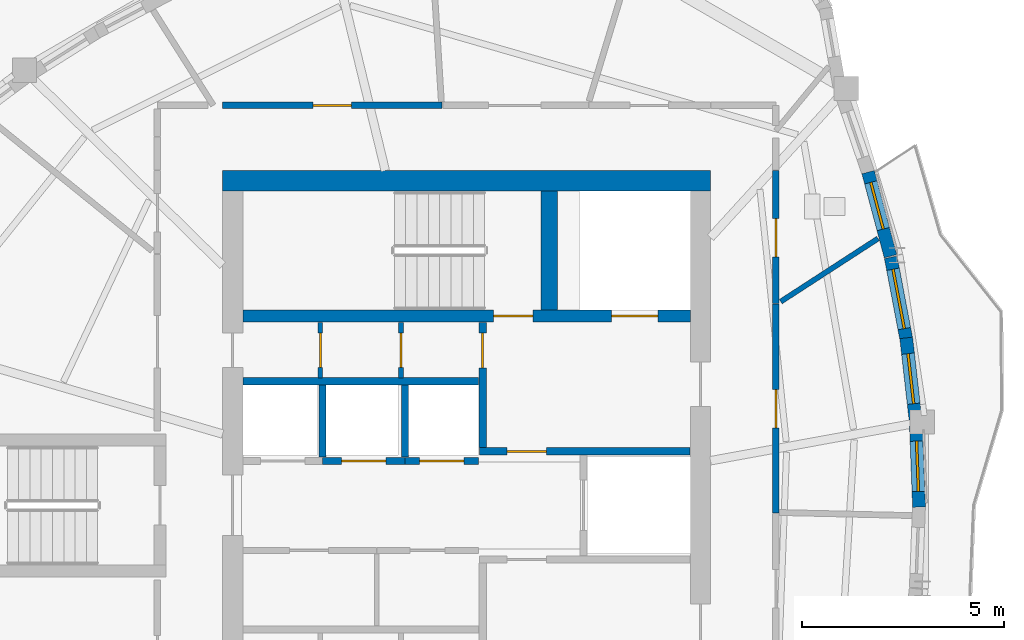
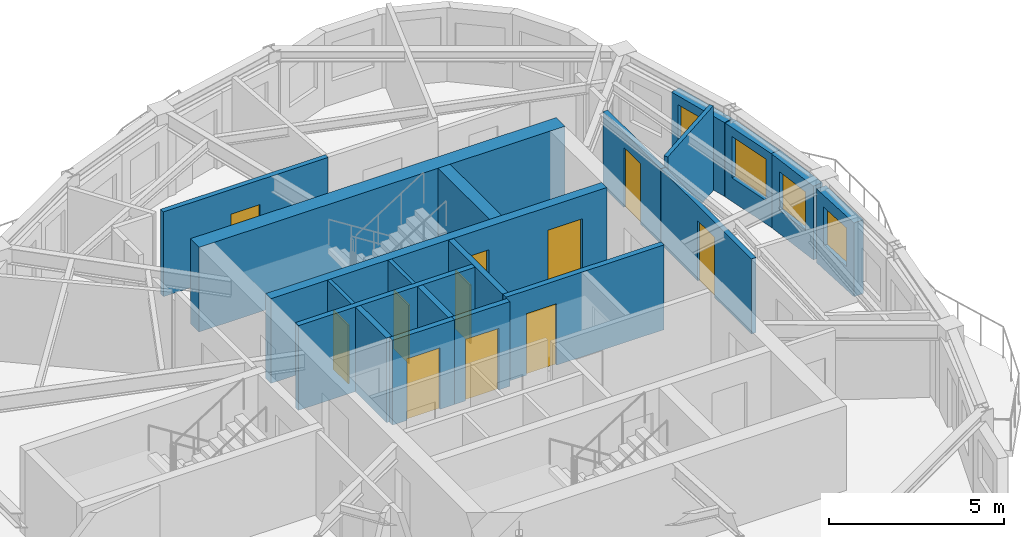
# One storey, part 6 of 11: 20 walls, 11 doors, 4 windows, 15 openings.
"""IFC4 building model written with IfcOpenShell, lengths in metres."""

from ifc_helpers import new_model, si_unit, direction, frame, frame_2d, origin, place, context, subcontext, project, spatial, rectangle, extrude, source, transform, mapped, material, layer, layer_set, type_object, element, fill, save


model = new_model("IFC4")

# Units and contexts
model_context = context("Model", 3, precision=1e-05, world=origin(), true_north=direction((0.0, 1.0)))
body_context = subcontext(model_context, "Body", "Model", "MODEL_VIEW")
ifc_project = project(units=[si_unit("LENGTHUNIT", "METRE"), si_unit("AREAUNIT", "SQUARE_METRE"), si_unit("VOLUMEUNIT", "CUBIC_METRE"), si_unit("PLANEANGLEUNIT", "RADIAN"), si_unit("MASSUNIT", "GRAM", prefix="KILO")], contexts=[model_context])

# Site, building, storey
site_placement = place(None, origin())
site = spatial("IfcSite", under=ifc_project, at=site_placement, CompositionType="ELEMENT")
building_placement = place(site_placement, origin())
building = spatial("IfcBuilding", under=site, at=building_placement, Name="Qafzar Sky-Pleat Residences", CompositionType="ELEMENT")
storey_placement = place(building_placement, frame((0.0, 0.0, 246.800048828125)))
storey = spatial("IfcBuildingStorey", under=building, at=storey_placement, Name="L74", CompositionType="ELEMENT", Elevation=246.800048828125)

# Wall, opening, door
ifc_material_1 = material(Name="Acoustic gypsum plasterboard partition", Category="gypsum")
ifc_layer_1 = layer(ifc_material_1, 0.159912109375)
ifc_layer_set_1 = layer_set([ifc_layer_1], Name="Acoustic gypsum plasterboard partition")
wall_type_1 = type_object("IfcWallType", Name="PART-COR-160", PredefinedType="PARTITIONING", material=ifc_layer_set_1)
wall_1_placement = place(storey_placement, frame((24.300048828125, 35.919921875, 0.0), z_axis=(0.0, 0.0, 1.0), x_axis=(1.0, 0.0, 0.0)))
wall_1 = element("IfcWall", 1, at=wall_1_placement, inside=storey, type_object=wall_type_1, Name="L74 Partition Wall PART-L74-PW-001", PredefinedType="PARTITIONING", context=body_context, shape_type="SweptSolid", body=[
    extrude(rectangle(XDim=5.446044921875, YDim=0.159912109375, at=frame_2d((2.72314453125, 0.0))), origin(), (0.0, 0.0, 1.0), 2.9599609375),
])
opening_1_placement = place(wall_1_placement, frame((2.235595703125, 0.0, 0.0)))
opening_1 = element("IfcOpeningElement", 2, at=opening_1_placement, cuts=wall_1, Name="Opening ID-06", PredefinedType="OPENING", context=body_context, shape_type="SweptSolid", body=[
    extrude(rectangle(XDim=0.9599609375, YDim=2.10009765625, at=frame_2d((0.47998046875, 1.050048828125))), frame((0.0, 0.08984375, 0.0), z_axis=(0.0, -1.0, 0.0), x_axis=(1.0, 0.0, 0.0)), (0.0, 0.0, 1.0), 0.179931640625),
])
ifc_material_2 = material(Name="Timber-faced fire door", Category="wood")
door_type_1 = type_object("IfcDoorType", Name="DR-STD-960", OperationType="NOTDEFINED", PredefinedType="DOOR", material=ifc_material_2)
shared_shape_1 = source(origin(), body_context, "Body", "SweptSolid", [
    extrude(rectangle(XDim=0.9599609375, YDim=2.10009765625, at=frame_2d((0.47998046875, 1.050048828125))), frame((0.0, 0.02490234375, 0.0), z_axis=(0.0, -1.0, 0.0), x_axis=(1.0, 0.0, 0.0)), (0.0, 0.0, 1.0), 0.050048828125),
])
door_1_placement = place(opening_1_placement, origin())
door_1 = element("IfcDoor", 3, at=door_1_placement, inside=storey, type_object=door_type_1, Name="L74 Scholar Co-Working Workspace Door", OperationType="SINGLE_SWING_LEFT", OverallHeight=2.10009765625, OverallWidth=0.9599609375, PredefinedType="DOOR", context=body_context, shape_type="MappedRepresentation", body=[
    mapped(shared_shape_1, transform((0.0, 0.0, 0.0), x_axis=(1.0, 0.0, 0.0), y_axis=(0.0, 1.0, 0.0), z_axis=(0.0, 0.0, 1.0), scale=1.0)),
])
fill(opening_1, door_1)

wall_2_placement = place(storey_placement, frame((38.02001953125, 30.991943359375, 0.0), z_axis=(0.0, 0.0, 1.0), x_axis=(0.0, -1.0, 0.0)))
wall_2 = element("IfcWall", 4, at=wall_2_placement, inside=storey, type_object=wall_type_1, Name="L74 Partition Wall PART-L74-PW-002", PredefinedType="PARTITIONING", context=body_context, shape_type="SweptSolid", body=[
    extrude(rectangle(XDim=5.182861328125, YDim=0.159912109375, at=frame_2d((2.59130859375, 0.0))), origin(), (0.0, 0.0, 1.0), 2.6279296875),
])
opening_2_placement = place(wall_2_placement, frame((2.113037109375, 0.0, 0.0)))
opening_2 = element("IfcOpeningElement", 5, at=opening_2_placement, cuts=wall_2, Name="Opening ID-06", PredefinedType="OPENING", context=body_context, shape_type="SweptSolid", body=[
    extrude(rectangle(XDim=0.9599609375, YDim=2.10009765625, at=frame_2d((0.47998046875, 1.050048828125))), frame((0.0, 0.08984375, 0.0), z_axis=(0.0, -1.0, 0.0), x_axis=(1.0, 0.0, 0.0)), (0.0, 0.0, 1.0), 0.179931640625),
])
door_2_placement = place(opening_2_placement, origin())
door_2 = element("IfcDoor", 6, at=door_2_placement, inside=storey, type_object=door_type_1, Name="L74 Reading Library Door", OperationType="SINGLE_SWING_RIGHT", OverallHeight=2.10009765625, OverallWidth=0.9599609375, PredefinedType="DOOR", context=body_context, shape_type="MappedRepresentation", body=[
    mapped(shared_shape_1, transform((0.0, 0.0, 0.0), x_axis=(1.0, 0.0, 0.0), y_axis=(0.0, 1.0, 0.0), z_axis=(0.0, 0.0, 1.0), scale=1.0)),
])
fill(opening_2, door_2)

wall_3_placement = place(storey_placement, frame((38.02001953125, 34.300048828125, 0.0), z_axis=(0.0, 0.0, 1.0), x_axis=(0.0, -1.0, 0.0)))
wall_3 = element("IfcWall", 7, at=wall_3_placement, inside=storey, type_object=wall_type_1, Name="L74 Partition Wall PART-L74-PW-007", PredefinedType="PARTITIONING", context=body_context, shape_type="SweptSolid", body=[
    extrude(rectangle(XDim=3.29296875, YDim=0.159912109375, at=frame_2d((1.646484375, 0.0))), origin(), (0.0, 0.0, 1.0), 2.6279296875),
])
opening_3_placement = place(wall_3_placement, frame((1.18798828125, 0.0, 0.0)))
opening_3 = element("IfcOpeningElement", 8, at=opening_3_placement, cuts=wall_3, Name="Opening ID-08", PredefinedType="OPENING", context=body_context, shape_type="SweptSolid", body=[
    extrude(rectangle(XDim=0.949951171875, YDim=2.10009765625, at=frame_2d((0.47509765625, 1.050048828125))), frame((0.0, 0.08984375, 0.0), z_axis=(0.0, -1.0, 0.0), x_axis=(1.0, 0.0, 0.0)), (0.0, 0.0, 1.0), 0.179931640625),
])
door_type_2 = type_object("IfcDoorType", Name="DR-AWC-950", OperationType="NOTDEFINED", PredefinedType="DOOR", material=ifc_material_2)
shared_shape_2 = source(origin(), body_context, "Body", "SweptSolid", [
    extrude(rectangle(XDim=0.949951171875, YDim=2.10009765625, at=frame_2d((0.47509765625, 1.050048828125))), frame((0.0, 0.02490234375, 0.0), z_axis=(0.0, -1.0, 0.0), x_axis=(1.0, 0.0, 0.0)), (0.0, 0.0, 1.0), 0.050048828125),
])
door_3_placement = place(opening_3_placement, origin())
door_3 = element("IfcDoor", 9, at=door_3_placement, inside=storey, type_object=door_type_2, Name="L74 Accessible Shared Washroom Door", OperationType="SINGLE_SWING_RIGHT", OverallHeight=2.10009765625, OverallWidth=0.949951171875, PredefinedType="DOOR", context=body_context, shape_type="MappedRepresentation", body=[
    mapped(shared_shape_2, transform((0.0, 0.0, 0.0), x_axis=(1.0, 0.0, 0.0), y_axis=(0.0, 1.0, 0.0), z_axis=(0.0, 0.0, 1.0), scale=1.0)),
])
fill(opening_3, door_3)

ifc_material_3 = material(Name="Concrete blockwork partition", Category="masonry")
ifc_layer_2 = layer(ifc_material_3, 0.179931640625)
ifc_layer_set_2 = layer_set([ifc_layer_2], Name="Concrete blockwork partition")
wall_type_2 = type_object("IfcWallType", Name="PART-SHAFT-180", PredefinedType="PARTITIONING", material=ifc_layer_set_2)
wall_4_placement = place(storey_placement, frame((30.75, 27.429931640625, 0.0), z_axis=(0.0, 0.0, 1.0), x_axis=(0.0, 1.0, 0.0)))
wall_4 = element("IfcWall", 10, at=wall_4_placement, inside=storey, type_object=wall_type_2, Name="L74 Partition Wall PART-L74-FFL2-W", PredefinedType="PARTITIONING", context=body_context, shape_type="SweptSolid", body=[
    extrude(rectangle(XDim=3.110107421875, YDim=0.179931640625, at=frame_2d((1.55517578125, 0.0))), origin(), (0.0, 0.0, 1.0), 2.9599609375),
])
opening_4_placement = place(wall_4_placement, frame((1.97998046875, 0.0, 0.0)))
opening_4 = element("IfcOpeningElement", 11, at=opening_4_placement, cuts=wall_4, Name="Opening ID-09", PredefinedType="OPENING", context=body_context, shape_type="SweptSolid", body=[
    extrude(rectangle(XDim=0.860107421875, YDim=2.050048828125, at=frame_2d((0.43017578125, 1.02490234375))), frame((0.0, 0.10009765625, 0.0), z_axis=(0.0, -1.0, 0.0), x_axis=(1.0, 0.0, 0.0)), (0.0, 0.0, 1.0), 0.199951171875),
])
door_type_3 = type_object("IfcDoorType", Name="DR-SVC-860", OperationType="NOTDEFINED", PredefinedType="DOOR", material=ifc_material_2)
shared_shape_3 = source(origin(), body_context, "Body", "SweptSolid", [
    extrude(rectangle(XDim=0.860107421875, YDim=2.050048828125, at=frame_2d((0.43017578125, 1.02490234375))), frame((0.0, 0.02490234375, 0.0), z_axis=(0.0, -1.0, 0.0), x_axis=(1.0, 0.0, 0.0)), (0.0, 0.0, 1.0), 0.050048828125),
])
door_4_placement = place(opening_4_placement, origin())
door_4 = element("IfcDoor", 12, at=door_4_placement, inside=storey, type_object=door_type_3, Name="L74 North Core Cupboard Door", OperationType="SINGLE_SWING_LEFT", OverallHeight=2.050048828125, OverallWidth=0.860107421875, PredefinedType="DOOR", context=body_context, shape_type="MappedRepresentation", body=[
    mapped(shared_shape_3, transform((0.0, 0.0, 0.0), x_axis=(1.0, 0.0, 0.0), y_axis=(0.0, 1.0, 0.0), z_axis=(0.0, 0.0, 1.0), scale=1.0)),
])
fill(opening_4, door_4)

wall_5_placement = place(storey_placement, frame((30.669921875, 27.340087890625, 0.0), z_axis=(0.0, 0.0, 1.0), x_axis=(1.0, 0.0, 0.0)))
wall_5 = element("IfcWall", 13, at=wall_5_placement, inside=storey, type_object=wall_type_2, Name="L74 Partition Wall PART-L74-FFL2-S", PredefinedType="PARTITIONING", context=body_context, shape_type="SweptSolid", body=[
    extrude(rectangle(XDim=5.219970703125, YDim=0.179931640625, at=frame_2d((2.60986328125, 0.0))), origin(), (0.0, 0.0, 1.0), 2.9599609375),
])
opening_5_placement = place(wall_5_placement, frame((0.679931640625, 0.0, 0.0)))
opening_5 = element("IfcOpeningElement", 14, at=opening_5_placement, cuts=wall_5, Name="Opening ID-01", PredefinedType="OPENING", context=body_context, shape_type="SweptSolid", body=[
    extrude(rectangle(XDim=0.97998046875, YDim=2.14990234375, at=frame_2d((0.489990234375, 1.074951171875))), frame((0.0, 0.10009765625, 0.0), z_axis=(0.0, -1.0, 0.0), x_axis=(1.0, 0.0, 0.0)), (0.0, 0.0, 1.0), 0.199951171875),
])
door_type_4 = type_object("IfcDoorType", Name="DR-STAIR-980", OperationType="NOTDEFINED", PredefinedType="DOOR", material=ifc_material_2)
shared_shape_4 = source(origin(), body_context, "Body", "SweptSolid", [
    extrude(rectangle(XDim=0.97998046875, YDim=2.14990234375, at=frame_2d((0.489990234375, 1.074951171875))), frame((0.0, 0.02490234375, 0.0), z_axis=(0.0, -1.0, 0.0), x_axis=(1.0, 0.0, 0.0)), (0.0, 0.0, 1.0), 0.050048828125),
])
door_5_placement = place(opening_5_placement, origin())
door_5 = element("IfcDoor", 15, at=door_5_placement, inside=storey, type_object=door_type_4, Name="L74 Lift Lobby to North Firefighting Lobby Door", OperationType="SINGLE_SWING_RIGHT", OverallHeight=2.14990234375, OverallWidth=0.97998046875, PredefinedType="DOOR", context=body_context, shape_type="MappedRepresentation", body=[
    mapped(shared_shape_4, transform((0.0, 0.0, 0.0), x_axis=(1.0, 0.0, 0.0), y_axis=(0.0, 1.0, 0.0), z_axis=(0.0, 0.0, 1.0), scale=1.0)),
])
fill(opening_5, door_5)

# Wall
wall_6_placement = place(storey_placement, frame((24.81005859375, 29.080078125, 0.0), z_axis=(0.0, 0.0, 1.0), x_axis=(1.0, 0.0, 0.0)))
element("IfcWall", 16, at=wall_6_placement, inside=storey, type_object=wall_type_2, Name="L74 Partition Wall PART-L74-P46-N", PredefinedType="PARTITIONING", context=body_context, shape_type="SweptSolid", body=[
    extrude(rectangle(XDim=5.83984375, YDim=0.179931640625, at=frame_2d((2.919921875, 0.0))), origin(), (0.0, 0.0, 1.0), 2.9599609375),
])

# Wall, opening, door
wall_7_placement = place(storey_placement, frame((26.77490234375, 27.10009765625, 0.0), z_axis=(0.0, 0.0, 1.0), x_axis=(1.0, 0.0, 0.0)))
wall_7 = element("IfcWall", 17, at=wall_7_placement, inside=storey, type_object=wall_type_2, Name="L74 Partition Wall PART-L74-P5-S", PredefinedType="PARTITIONING", context=body_context, shape_type="SweptSolid", body=[
    extrude(rectangle(XDim=2.050048828125, YDim=0.179931640625, at=frame_2d((1.02490234375, 0.0))), origin(), (0.0, 0.0, 1.0), 2.9599609375),
])
opening_6_placement = place(wall_7_placement, frame((0.47509765625, 0.0, 0.0)))
opening_6 = element("IfcOpeningElement", 18, at=opening_6_placement, cuts=wall_7, Name="Opening LD-01", PredefinedType="OPENING", context=body_context, shape_type="SweptSolid", body=[
    extrude(rectangle(XDim=1.10009765625, YDim=2.14990234375, at=frame_2d((0.550048828125, 1.074951171875))), frame((0.0, 0.10009765625, 0.0), z_axis=(0.0, -1.0, 0.0), x_axis=(1.0, 0.0, 0.0)), (0.0, 0.0, 1.0), 0.199951171875),
])
ifc_material_4 = material(Name="Stainless steel sliding landing door", Category="steel")
door_type_5 = type_object("IfcDoorType", Name="DR-LIFT-P", OperationType="DOUBLE_DOOR_SLIDING", PredefinedType="DOOR", material=ifc_material_4)
shared_shape_5 = source(origin(), body_context, "Body", "SweptSolid", [
    extrude(rectangle(XDim=1.10009765625, YDim=2.14990234375, at=frame_2d((0.550048828125, 1.074951171875))), frame((0.0, 0.02490234375, 0.0), z_axis=(0.0, -1.0, 0.0), x_axis=(1.0, 0.0, 0.0)), (0.0, 0.0, 1.0), 0.050048828125),
])
door_6_placement = place(opening_6_placement, origin())
door_6 = element("IfcDoor", 19, at=door_6_placement, inside=storey, type_object=door_type_5, Name="L74 Passenger Lift P5 Landing Door", OperationType="DOUBLE_DOOR_SLIDING", OverallHeight=2.14990234375, OverallWidth=1.10009765625, PredefinedType="DOOR", context=body_context, shape_type="MappedRepresentation", body=[
    mapped(shared_shape_5, transform((0.0, 0.0, 0.0), x_axis=(1.0, 0.0, 0.0), y_axis=(0.0, 1.0, 0.0), z_axis=(0.0, 0.0, 1.0), scale=1.0)),
])
fill(opening_6, door_6)

# Wall
wall_8_placement = place(storey_placement, frame((26.77490234375, 27.199951171875, 0.0), z_axis=(0.0, 0.0, 1.0), x_axis=(0.0, 1.0, 0.0)))
element("IfcWall", 20, at=wall_8_placement, inside=storey, type_object=wall_type_2, Name="L74 Partition Wall PART-L74-P46-DIV-1", PredefinedType="PARTITIONING", context=body_context, shape_type="SweptSolid", body=[
    extrude(rectangle(XDim=1.780029296875, YDim=0.179931640625, at=frame_2d((0.89013671875, 0.0))), origin(), (0.0, 0.0, 1.0), 2.9599609375),
])

# Wall, opening, door
wall_9_placement = place(storey_placement, frame((28.824951171875, 27.10009765625, 0.0), z_axis=(0.0, 0.0, 1.0), x_axis=(1.0, 0.0, 0.0)))
wall_9 = element("IfcWall", 21, at=wall_9_placement, inside=storey, type_object=wall_type_2, Name="L74 Partition Wall PART-L74-P6-S", PredefinedType="PARTITIONING", context=body_context, shape_type="SweptSolid", body=[
    extrude(rectangle(XDim=1.824951171875, YDim=0.179931640625, at=frame_2d((0.91259765625, 0.0))), origin(), (0.0, 0.0, 1.0), 2.9599609375),
])
opening_7_placement = place(wall_9_placement, frame((0.362548828125, 0.0, 0.0)))
opening_7 = element("IfcOpeningElement", 22, at=opening_7_placement, cuts=wall_9, Name="Opening LD-01", PredefinedType="OPENING", context=body_context, shape_type="SweptSolid", body=[
    extrude(rectangle(XDim=1.10009765625, YDim=2.14990234375, at=frame_2d((0.550048828125, 1.074951171875))), frame((0.0, 0.10009765625, 0.0), z_axis=(0.0, -1.0, 0.0), x_axis=(1.0, 0.0, 0.0)), (0.0, 0.0, 1.0), 0.199951171875),
])
door_7_placement = place(opening_7_placement, origin())
door_7 = element("IfcDoor", 23, at=door_7_placement, inside=storey, type_object=door_type_5, Name="L74 Passenger Lift P6 Landing Door", OperationType="DOUBLE_DOOR_SLIDING", OverallHeight=2.14990234375, OverallWidth=1.10009765625, PredefinedType="DOOR", context=body_context, shape_type="MappedRepresentation", body=[
    mapped(shared_shape_5, transform((0.0, 0.0, 0.0), x_axis=(1.0, 0.0, 0.0), y_axis=(0.0, 1.0, 0.0), z_axis=(0.0, 0.0, 1.0), scale=1.0)),
])
fill(opening_7, door_7)

# Wall
wall_10_placement = place(storey_placement, frame((28.824951171875, 27.199951171875, 0.0), z_axis=(0.0, 0.0, 1.0), x_axis=(0.0, 1.0, 0.0)))
element("IfcWall", 24, at=wall_10_placement, inside=storey, type_object=wall_type_2, Name="L74 Partition Wall PART-L74-P46-DIV-2", PredefinedType="PARTITIONING", context=body_context, shape_type="SweptSolid", body=[
    extrude(rectangle(XDim=1.780029296875, YDim=0.179931640625, at=frame_2d((0.89013671875, 0.0))), origin(), (0.0, 0.0, 1.0), 2.9599609375),
])

# Wall, opening, door
ifc_material_5 = material(Name="Gypsum plasterboard partition", Category="gypsum")
ifc_layer_3 = layer(ifc_material_5, 0.114990234375)
ifc_layer_set_3 = layer_set([ifc_layer_3], Name="Gypsum plasterboard partition")
wall_type_3 = type_object("IfcWallType", Name="PART-SVC-115", PredefinedType="PARTITIONING", material=ifc_layer_set_3)
wall_11_placement = place(storey_placement, frame((26.72509765625, 29.159912109375, 0.0), z_axis=(0.0, 0.0, 1.0), x_axis=(0.0, 1.0, 0.0)))
wall_11 = element("IfcWall", 25, at=wall_11_placement, inside=storey, type_object=wall_type_3, Name="L74 Partition Wall PART-L74-KC-NW-1", PredefinedType="PARTITIONING", context=body_context, shape_type="SweptSolid", body=[
    extrude(rectangle(XDim=1.380126953125, YDim=0.114990234375, at=frame_2d((0.68994140625, 0.0))), origin(), (0.0, 0.0, 1.0), 2.9599609375),
])
opening_8_placement = place(wall_11_placement, frame((0.260009765625, 0.0, 0.0)))
opening_8 = element("IfcOpeningElement", 26, at=opening_8_placement, cuts=wall_11, Name="Opening ID-09", PredefinedType="OPENING", context=body_context, shape_type="SweptSolid", body=[
    extrude(rectangle(XDim=0.860107421875, YDim=2.050048828125, at=frame_2d((0.43017578125, 1.02490234375))), frame((0.0, 0.0673828125, 0.0), z_axis=(0.0, -1.0, 0.0), x_axis=(1.0, 0.0, 0.0)), (0.0, 0.0, 1.0), 0.135009765625),
])
door_8_placement = place(opening_8_placement, origin())
door_8 = element("IfcDoor", 27, at=door_8_placement, inside=storey, type_object=door_type_3, Name="L74 Core North Cupboard 1 Door", OperationType="SINGLE_SWING_RIGHT", OverallHeight=2.050048828125, OverallWidth=0.860107421875, PredefinedType="DOOR", context=body_context, shape_type="MappedRepresentation", body=[
    mapped(shared_shape_3, transform((0.0, 0.0, 0.0), x_axis=(1.0, 0.0, 0.0), y_axis=(0.0, 1.0, 0.0), z_axis=(0.0, 0.0, 1.0), scale=1.0)),
])
fill(opening_8, door_8)

wall_12_placement = place(storey_placement, frame((28.72509765625, 29.159912109375, 0.0), z_axis=(0.0, 0.0, 1.0), x_axis=(0.0, 1.0, 0.0)))
wall_12 = element("IfcWall", 28, at=wall_12_placement, inside=storey, type_object=wall_type_3, Name="L74 Partition Wall PART-L74-KC-NW-2", PredefinedType="PARTITIONING", context=body_context, shape_type="SweptSolid", body=[
    extrude(rectangle(XDim=1.380126953125, YDim=0.114990234375, at=frame_2d((0.68994140625, 0.0))), origin(), (0.0, 0.0, 1.0), 2.9599609375),
])
opening_9_placement = place(wall_12_placement, frame((0.260009765625, 0.0, 0.0)))
opening_9 = element("IfcOpeningElement", 29, at=opening_9_placement, cuts=wall_12, Name="Opening ID-09", PredefinedType="OPENING", context=body_context, shape_type="SweptSolid", body=[
    extrude(rectangle(XDim=0.860107421875, YDim=2.050048828125, at=frame_2d((0.43017578125, 1.02490234375))), frame((0.0, 0.0673828125, 0.0), z_axis=(0.0, -1.0, 0.0), x_axis=(1.0, 0.0, 0.0)), (0.0, 0.0, 1.0), 0.135009765625),
])
door_9_placement = place(opening_9_placement, origin())
door_9 = element("IfcDoor", 30, at=door_9_placement, inside=storey, type_object=door_type_3, Name="L74 Core North Cupboard 2 Door", OperationType="SINGLE_SWING_RIGHT", OverallHeight=2.050048828125, OverallWidth=0.860107421875, PredefinedType="DOOR", context=body_context, shape_type="MappedRepresentation", body=[
    mapped(shared_shape_3, transform((0.0, 0.0, 0.0), x_axis=(1.0, 0.0, 0.0), y_axis=(0.0, 1.0, 0.0), z_axis=(0.0, 0.0, 1.0), scale=1.0)),
])
fill(opening_9, door_9)

# Wall
ifc_material_6 = material(Name="Moisture-resistant gypsum partition", Category="gypsum")
ifc_layer_4 = layer(ifc_material_6, 0.1298828125)
ifc_layer_set_4 = layer_set([ifc_layer_4], Name="Moisture-resistant gypsum partition")
wall_type_4 = type_object("IfcWallType", Name="PART-WET-130", PredefinedType="PARTITIONING", material=ifc_layer_set_4)
wall_13_placement = place(storey_placement, frame((38.14208984375, 31.05322265625, 0.0), z_axis=(0.0, 0.0, 1.0), x_axis=(0.839000059055, 0.544131326892, 0.0)))
element("IfcWall", 31, at=wall_13_placement, inside=storey, type_object=wall_type_4, Name="L74 Partition Wall PART-L74-PW-019", PredefinedType="PARTITIONING", context=body_context, shape_type="SweptSolid", body=[
    extrude(rectangle(XDim=2.874755859375, YDim=0.1298828125, at=frame_2d((1.4375, 0.0))), origin(), (0.0, 0.0, 1.0), 2.9599609375),
])

# Wall, opening, window
ifc_material_7 = material(Name="Precast concrete C40/50 with honed Riyadh limestone", Category="concrete")
ifc_layer_5 = layer(ifc_material_7, 0.320068359375)
ifc_layer_set_5 = layer_set([ifc_layer_5], Name="Precast concrete C40/50 with honed Riyadh limestone")
wall_type_5 = type_object("IfcWallType", Name="WALL-EXT-320", PredefinedType="SOLIDWALL", material=ifc_layer_set_5)
wall_14_placement = place(storey_placement, frame((41.572998046875, 25.9560546875, 0.0), z_axis=(0.0, 0.0, 1.0), x_axis=(-0.038014663796, 0.999277181435, 0.0)))
wall_14 = element("IfcWall", 32, at=wall_14_placement, inside=storey, type_object=wall_type_5, Name="L74 Limestone Facade Wall 28", PredefinedType="SOLIDWALL", context=body_context, shape_type="SweptSolid", body=[
    extrude(rectangle(XDim=2.0166015625, YDim=0.320068359375, at=frame_2d((1.00830078125, 0.0))), origin(), (0.0, 0.0, 1.0), 2.579833984375),
])
opening_10_placement = place(wall_14_placement, frame((0.38818359375, 0.0, 0.820068359375)))
opening_10 = element("IfcOpeningElement", 33, at=opening_10_placement, cuts=wall_14, Name="Opening WN-11", PredefinedType="OPENING", context=body_context, shape_type="SweptSolid", body=[
    extrude(rectangle(XDim=1.25, YDim=1.35009765625, at=frame_2d((0.625, 0.675048828125))), frame((0.0, 0.169921875, 0.0), z_axis=(0.0, -1.0, 0.0), x_axis=(1.0, 0.0, 0.0)), (0.0, 0.0, 1.0), 0.340087890625),
])
ifc_material_8 = material(Name="Solar-control low-E glass in bronze aluminium frame", Category="glass")
window_type_1 = type_object("IfcWindowType", Name="WIN-11", PartitioningType="SINGLE_PANEL", PredefinedType="WINDOW", material=ifc_material_8)
shared_shape_6 = source(origin(), body_context, "Body", "SweptSolid", [
    extrude(rectangle(XDim=1.25, YDim=1.35009765625, at=frame_2d((0.625, 0.675048828125))), frame((0.0, 0.030029296875, 0.0), z_axis=(0.0, -1.0, 0.0), x_axis=(1.0, 0.0, 0.0)), (0.0, 0.0, 1.0), 0.06005859375),
])
window_1_placement = place(opening_10_placement, origin())
window_1 = element("IfcWindow", 34, at=window_1_placement, inside=storey, type_object=window_type_1, Name="L74 Punched Facade Window 28", OverallHeight=1.35009765625, OverallWidth=1.25, PartitioningType="SINGLE_PANEL", PredefinedType="WINDOW", context=body_context, shape_type="MappedRepresentation", body=[
    mapped(shared_shape_6, transform((0.0, 0.0, 0.0), x_axis=(1.0, 0.0, 0.0), y_axis=(0.0, 1.0, 0.0), z_axis=(0.0, 0.0, 1.0), scale=1.0)),
])
fill(opening_10, window_1)

wall_15_placement = place(storey_placement, frame((41.483642578125, 28.138427734375, 0.0), z_axis=(0.0, 0.0, 1.0), x_axis=(-0.113244511591, 0.993567149515, 0.0)))
wall_15 = element("IfcWall", 35, at=wall_15_placement, inside=storey, type_object=wall_type_5, Name="L74 Limestone Facade Wall 29", PredefinedType="SOLIDWALL", context=body_context, shape_type="SweptSolid", body=[
    extrude(rectangle(XDim=2.028564453125, YDim=0.320068359375, at=frame_2d((1.01416015625, 0.0))), origin(), (0.0, 0.0, 1.0), 2.579833984375),
])
opening_11_placement = place(wall_15_placement, frame((0.38427734375, 0.0, 0.820068359375)))
opening_11 = element("IfcOpeningElement", 36, at=opening_11_placement, cuts=wall_15, Name="Opening WN-11", PredefinedType="OPENING", context=body_context, shape_type="SweptSolid", body=[
    extrude(rectangle(XDim=1.25, YDim=1.35009765625, at=frame_2d((0.625, 0.675048828125))), frame((0.0, 0.169921875, 0.0), z_axis=(0.0, -1.0, 0.0), x_axis=(1.0, 0.0, 0.0)), (0.0, 0.0, 1.0), 0.340087890625),
])
window_2_placement = place(opening_11_placement, origin())
window_2 = element("IfcWindow", 37, at=window_2_placement, inside=storey, type_object=window_type_1, Name="L74 Punched Facade Window 29", OverallHeight=1.35009765625, OverallWidth=1.25, PartitioningType="SINGLE_PANEL", PredefinedType="WINDOW", context=body_context, shape_type="MappedRepresentation", body=[
    mapped(shared_shape_6, transform((0.0, 0.0, 0.0), x_axis=(1.0, 0.0, 0.0), y_axis=(0.0, 1.0, 0.0), z_axis=(0.0, 0.0, 1.0), scale=1.0)),
])
fill(opening_11, window_2)

wall_16_placement = place(storey_placement, frame((41.26708984375, 30.067138671875, 0.0), z_axis=(0.0, 0.0, 1.0), x_axis=(-0.186705057177, 0.982416012504, 0.0)))
wall_16 = element("IfcWall", 38, at=wall_16_placement, inside=storey, type_object=wall_type_5, Name="L74 Limestone Facade Wall 30", PredefinedType="SOLIDWALL", context=body_context, shape_type="SweptSolid", body=[
    extrude(rectangle(XDim=2.122314453125, YDim=0.320068359375, at=frame_2d((1.06103515625, 0.0))), origin(), (0.0, 0.0, 1.0), 2.579833984375),
])
opening_12_placement = place(wall_16_placement, frame((0.321044921875, 0.0, 0.820068359375)))
opening_12 = element("IfcOpeningElement", 39, at=opening_12_placement, cuts=wall_16, Name="Opening WN-03", PredefinedType="OPENING", context=body_context, shape_type="SweptSolid", body=[
    extrude(rectangle(XDim=1.5, YDim=1.449951171875, at=frame_2d((0.75, 0.72509765625))), frame((0.0, 0.169921875, 0.0), z_axis=(0.0, -1.0, 0.0), x_axis=(1.0, 0.0, 0.0)), (0.0, 0.0, 1.0), 0.340087890625),
])
window_type_2 = type_object("IfcWindowType", Name="WIN-03", PartitioningType="DOUBLE_PANEL_VERTICAL", PredefinedType="WINDOW", material=ifc_material_8)
shared_shape_7 = source(origin(), body_context, "Body", "SweptSolid", [
    extrude(rectangle(XDim=1.5, YDim=1.449951171875, at=frame_2d((0.75, 0.72509765625))), frame((0.0, 0.030029296875, 0.0), z_axis=(0.0, -1.0, 0.0), x_axis=(1.0, 0.0, 0.0)), (0.0, 0.0, 1.0), 0.06005859375),
])
window_3_placement = place(opening_12_placement, origin())
window_3 = element("IfcWindow", 40, at=window_3_placement, inside=storey, type_object=window_type_2, Name="L74 Punched Facade Window 30", OverallHeight=1.449951171875, OverallWidth=1.5, PartitioningType="SINGLE_PANEL", PredefinedType="WINDOW", context=body_context, shape_type="MappedRepresentation", body=[
    mapped(shared_shape_7, transform((0.0, 0.0, 0.0), x_axis=(1.0, 0.0, 0.0), y_axis=(0.0, 1.0, 0.0), z_axis=(0.0, 0.0, 1.0), scale=1.0)),
])
fill(opening_12, window_3)

wall_17_placement = place(storey_placement, frame((40.864501953125, 32.1796875, 0.0), z_axis=(0.0, 0.0, 1.0), x_axis=(-0.257021579051, 0.966405664254, 0.0)))
wall_17 = element("IfcWall", 41, at=wall_17_placement, inside=storey, type_object=wall_type_5, Name="L74 Limestone Facade Wall 31", PredefinedType="SOLIDWALL", context=body_context, shape_type="SweptSolid", body=[
    extrude(rectangle(XDim=2.1572265625, YDim=0.320068359375, at=frame_2d((1.07861328125, 0.0))), origin(), (0.0, 0.0, 1.0), 2.579833984375),
])
opening_13_placement = place(wall_17_placement, frame((0.696044921875, 0.0, 0.820068359375)))
opening_13 = element("IfcOpeningElement", 42, at=opening_13_placement, cuts=wall_17, Name="Opening WN-05", PredefinedType="OPENING", context=body_context, shape_type="SweptSolid", body=[
    extrude(rectangle(XDim=1.199951171875, YDim=1.449951171875, at=frame_2d((0.60009765625, 0.72509765625))), frame((0.0, 0.169921875, 0.0), z_axis=(0.0, -1.0, 0.0), x_axis=(1.0, 0.0, 0.0)), (0.0, 0.0, 1.0), 0.340087890625),
])
window_type_3 = type_object("IfcWindowType", Name="WIN-05", PartitioningType="SINGLE_PANEL", PredefinedType="WINDOW", material=ifc_material_8)
shared_shape_8 = source(origin(), body_context, "Body", "SweptSolid", [
    extrude(rectangle(XDim=1.199951171875, YDim=1.449951171875, at=frame_2d((0.60009765625, 0.72509765625))), frame((0.0, 0.030029296875, 0.0), z_axis=(0.0, -1.0, 0.0), x_axis=(1.0, 0.0, 0.0)), (0.0, 0.0, 1.0), 0.06005859375),
])
window_4_placement = place(opening_13_placement, origin())
window_4 = element("IfcWindow", 43, at=window_4_placement, inside=storey, type_object=window_type_3, Name="L74 Punched Facade Window 31-2", OverallHeight=1.449951171875, OverallWidth=1.199951171875, PartitioningType="SINGLE_PANEL", PredefinedType="WINDOW", context=body_context, shape_type="MappedRepresentation", body=[
    mapped(shared_shape_8, transform((0.0, 0.0, 0.0), x_axis=(1.0, 0.0, 0.0), y_axis=(0.0, 1.0, 0.0), z_axis=(0.0, 0.0, 1.0), scale=1.0)),
])
fill(opening_13, window_4)

# Wall, openings, doors
ifc_material_9 = material(Name="Concrete C60/75", Category="concrete")
ifc_layer_6 = layer(ifc_material_9, 0.300048828125)
ifc_layer_set_6 = layer_set([ifc_layer_6], Name="Concrete C60/75")
wall_type_6 = type_object("IfcWallType", Name="WALL-SHEAR-300", PredefinedType="SHEAR", material=ifc_layer_set_6)
wall_18_placement = place(storey_placement, frame((24.800048828125, 30.699951171875, 0.0), z_axis=(0.0, 0.0, 1.0), x_axis=(1.0, 0.0, 0.0)))
wall_18 = element("IfcWall", 44, at=wall_18_placement, inside=storey, type_object=wall_type_6, Name="L74 Stair ST2 and FF2 Shaft South Wall", PredefinedType="SHEAR", context=body_context, shape_type="SweptSolid", body=[
    extrude(rectangle(XDim=11.099853515625, YDim=0.300048828125, at=frame_2d((5.5498046875, 0.0))), origin(), (0.0, 0.0, 1.0), 2.9599609375),
])
opening_14_placement = place(wall_18_placement, frame((6.219970703125, 0.0, 0.0)))
opening_14 = element("IfcOpeningElement", 45, at=opening_14_placement, cuts=wall_18, Name="Opening ID-01", PredefinedType="OPENING", context=body_context, shape_type="SweptSolid", body=[
    extrude(rectangle(XDim=0.97998046875, YDim=2.14990234375, at=frame_2d((0.489990234375, 1.074951171875))), frame((0.0, 0.16015625, 0.0), z_axis=(0.0, -1.0, 0.0), x_axis=(1.0, 0.0, 0.0)), (0.0, 0.0, 1.0), 0.320068359375),
])
opening_15_placement = place(wall_18_placement, frame((9.14990234375, 0.0, 0.0)))
opening_15 = element("IfcOpeningElement", 46, at=opening_15_placement, cuts=wall_18, Name="Opening LD-02", PredefinedType="OPENING", context=body_context, shape_type="SweptSolid", body=[
    extrude(rectangle(XDim=1.14990234375, YDim=2.14990234375, at=frame_2d((0.574951171875, 1.074951171875))), frame((0.0, 0.16015625, 0.0), z_axis=(0.0, -1.0, 0.0), x_axis=(1.0, 0.0, 0.0)), (0.0, 0.0, 1.0), 0.320068359375),
])
door_10_placement = place(opening_14_placement, origin())
door_10 = element("IfcDoor", 47, at=door_10_placement, inside=storey, type_object=door_type_4, Name="L74 Stair ST2 Fire Door", OperationType="SINGLE_SWING_LEFT", OverallHeight=2.14990234375, OverallWidth=0.97998046875, PredefinedType="DOOR", context=body_context, shape_type="MappedRepresentation", body=[
    mapped(shared_shape_4, transform((0.0, 0.0, 0.0), x_axis=(1.0, 0.0, 0.0), y_axis=(0.0, 1.0, 0.0), z_axis=(0.0, 0.0, 1.0), scale=1.0)),
])
fill(opening_14, door_10)
door_type_6 = type_object("IfcDoorType", Name="DR-LIFT-FF", OperationType="DOUBLE_DOOR_SLIDING", PredefinedType="DOOR", material=ifc_material_4)
shared_shape_9 = source(origin(), body_context, "Body", "SweptSolid", [
    extrude(rectangle(XDim=1.14990234375, YDim=2.14990234375, at=frame_2d((0.574951171875, 1.074951171875))), frame((0.0, 0.02490234375, 0.0), z_axis=(0.0, -1.0, 0.0), x_axis=(1.0, 0.0, 0.0)), (0.0, 0.0, 1.0), 0.050048828125),
])
door_11_placement = place(opening_15_placement, origin())
door_11 = element("IfcDoor", 48, at=door_11_placement, inside=storey, type_object=door_type_6, Name="L74 Firefighting Lift FF2 Landing Door", OperationType="DOUBLE_DOOR_SLIDING", OverallHeight=2.14990234375, OverallWidth=1.14990234375, PredefinedType="DOOR", context=body_context, shape_type="MappedRepresentation", body=[
    mapped(shared_shape_9, transform((0.0, 0.0, 0.0), x_axis=(1.0, 0.0, 0.0), y_axis=(0.0, 1.0, 0.0), z_axis=(0.0, 0.0, 1.0), scale=1.0)),
])
fill(opening_15, door_11)

# Walls
ifc_layer_7 = layer(ifc_material_9, 0.39990234375)
ifc_layer_set_7 = layer_set([ifc_layer_7], Name="Concrete C60/75")
wall_type_7 = type_object("IfcWallType", Name="WALL-SHEAR-400", PredefinedType="SHEAR", material=ifc_layer_set_7)
wall_19_placement = place(storey_placement, frame((32.39990234375, 30.85009765625, 0.0), z_axis=(0.0, 0.0, 1.0), x_axis=(0.0, 1.0, 0.0)))
element("IfcWall", 49, at=wall_19_placement, inside=storey, type_object=wall_type_7, Name="L74 Stair ST2 East Dividing Wall", PredefinedType="SHEAR", context=body_context, shape_type="SweptSolid", body=[
    extrude(rectangle(XDim=2.949951171875, YDim=0.39990234375, at=frame_2d((1.47509765625, 0.0))), origin(), (0.0, 0.0, 1.0), 2.9599609375),
])
ifc_layer_8 = layer(ifc_material_9, 0.5)
ifc_layer_set_8 = layer_set([ifc_layer_8], Name="Concrete C60/75")
wall_type_8 = type_object("IfcWallType", Name="WALL-SHEAR-500", PredefinedType="SHEAR", material=ifc_layer_set_8)
wall_20_placement = place(storey_placement, frame((36.39990234375, 34.050048828125, 0.0), z_axis=(0.0, 0.0, 1.0), x_axis=(-1.0, 0.0, 0.0)))
element("IfcWall", 50, at=wall_20_placement, inside=storey, type_object=wall_type_8, Name="L74 CORE wall N", PredefinedType="SHEAR", context=body_context, shape_type="SweptSolid", body=[
    extrude(rectangle(XDim=12.099853515625, YDim=0.5, at=frame_2d((6.0498046875, 0.0))), origin(), (0.0, 0.0, 1.0), 2.9599609375),
])

save(model, "model.ifc")
